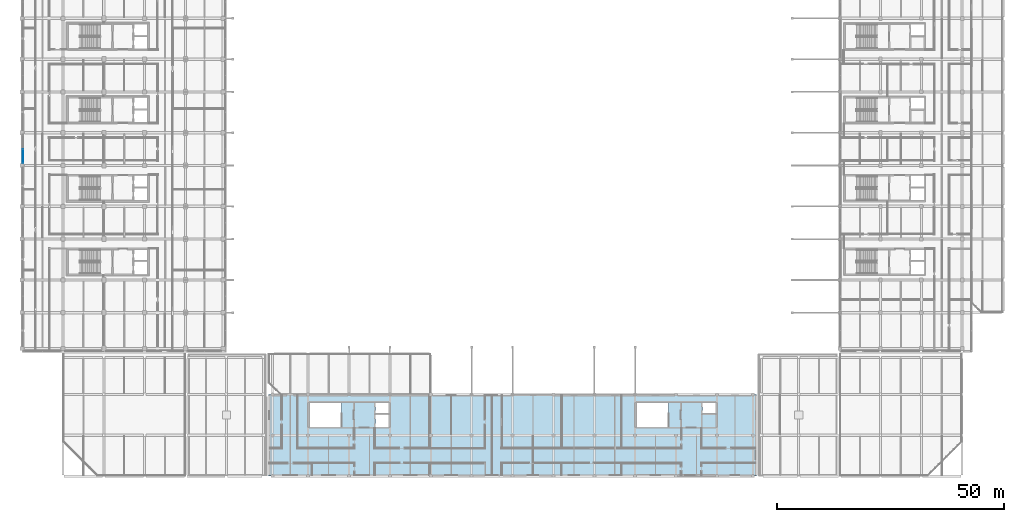
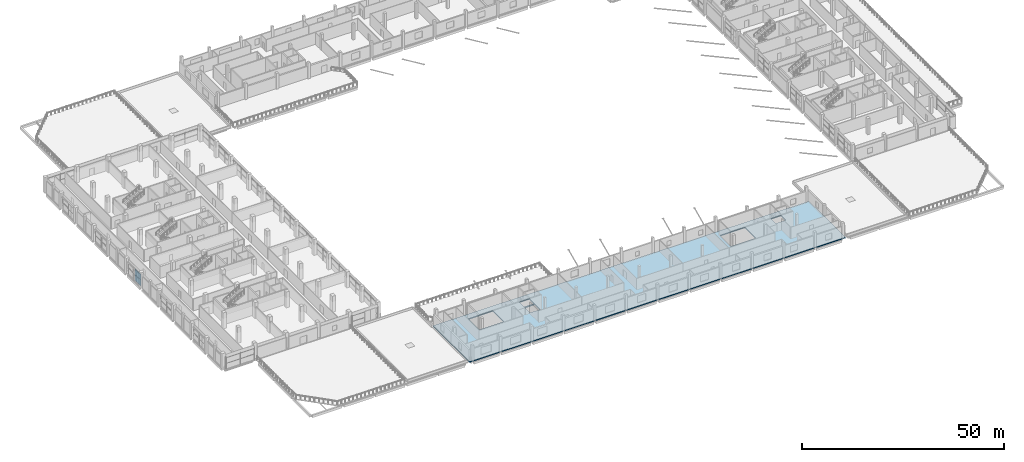
# One storey, part 37 of 82: 2 plates, 1 slab, 1 element without a shape of its own.
"""IFC4 building model written with IfcOpenShell, lengths in metres."""

import ifcopenshell
import ifcopenshell.guid

model = None  # the IFC model being written
_history = None  # IfcOwnerHistory: only IFC2X3 demands one
_inside = {}  # id of a spatial element -> (the spatial element, [elements in it])
_under = {}  # id of a project, library or spatial element -> (it, [spatial elements below it])
_declared = {}  # id of a project -> (the project, [libraries it declares])
_typed = {}  # id of a type object -> (the type object, [elements of that type])
_made_of = {}  # id of a material, layer set ... -> (it, [elements and type objects made of it])


def new_model(schema):
    """Start an empty IFC model of exactly this schema.

    Asked for "IFC4X3", IfcOpenShell would pick the latest addendum, in which some entities
    have other attributes; the version numbers below select the first issue.
    IFC2X3 requires an IfcOwnerHistory on every rooted entity: one is made here for all.
    """
    global model, _history
    if schema == "IFC4X3":
        model = ifcopenshell.file(schema_version=(4, 3, 0, 0))
    else:
        model = ifcopenshell.file(schema=schema)
    _inside.clear()
    _under.clear()
    _declared.clear()
    _typed.clear()
    _made_of.clear()
    _history = None
    if model.schema == "IFC2X3":
        org = make("IfcOrganization", Name="unknown")
        user = make(
            "IfcPersonAndOrganization",
            ThePerson=make("IfcPerson", FamilyName="unknown"),
            TheOrganization=org,
        )
        app = make(
            "IfcApplication",
            ApplicationDeveloper=org,
            Version="unknown",
            ApplicationFullName="unknown",
            ApplicationIdentifier="unknown",
        )
        _history = make(
            "IfcOwnerHistory",
            OwningUser=user,
            OwningApplication=app,
            ChangeAction="ADDED",
            CreationDate=0,
        )
    return model


def make(cls, **values):
    """One entity of the class cls with the attributes given. An attribute that is None is left unset."""
    return model.create_entity(
        cls, **{name: value for name, value in values.items() if value is not None}
    )


def rooted(cls, **values):
    """An entity with a GlobalId (a new one), such as an element, a storey or a relation."""
    return make(cls, GlobalId=ifcopenshell.guid.new(), OwnerHistory=_history, **values)


def si_unit(unit_type, name, prefix=None):
    """IfcSIUnit, for example si_unit("LENGTHUNIT", "METRE", prefix="MILLI")."""
    return make("IfcSIUnit", UnitType=unit_type, Prefix=prefix, Name=name)


def assignment(units):
    """IfcUnitAssignment: the units of a project."""
    return None if units is None else make("IfcUnitAssignment", Units=units)


def point(xyz):
    """IfcCartesianPoint."""
    return None if xyz is None else make("IfcCartesianPoint", Coordinates=xyz)


def direction(xyz):
    """IfcDirection."""
    return None if xyz is None else make("IfcDirection", DirectionRatios=xyz)


def frame(location, z_axis=None, x_axis=None):
    """IfcAxis2Placement3D, a coordinate frame: its origin and axes. An axis left out is left unset."""
    return make(
        "IfcAxis2Placement3D",
        Location=point(location),
        Axis=direction(z_axis),
        RefDirection=direction(x_axis),
    )


def frame_2d(location, x_axis=None):
    """IfcAxis2Placement2D, a coordinate frame in the plane: its origin and x axis."""
    return make(
        "IfcAxis2Placement2D", Location=point(location), RefDirection=direction(x_axis)
    )


def origin():
    """The frame at (0, 0, 0) with its axes left unset."""
    return frame((0.0, 0.0, 0.0))


def origin_2d():
    """The frame at (0, 0) in the plane with its x axis left unset."""
    return frame_2d((0.0, 0.0))


def place(relative_to, where):
    """IfcLocalPlacement: puts the frame where relative to a parent placement (None: the world)."""
    return make(
        "IfcLocalPlacement", PlacementRelTo=relative_to, RelativePlacement=where
    )


def context(
    kind, dimensions, precision=None, world=None, true_north=None, identifier=None
):
    """IfcGeometricRepresentationContext, for example the 3D "Model" context."""
    return make(
        "IfcGeometricRepresentationContext",
        ContextIdentifier=identifier,
        ContextType=kind,
        CoordinateSpaceDimension=dimensions,
        Precision=precision,
        WorldCoordinateSystem=world,
        TrueNorth=true_north,
    )


def subcontext(parent, identifier, kind, view, scale=None):
    """IfcGeometricRepresentationSubContext, for example "Body" below "Model"."""
    return make(
        "IfcGeometricRepresentationSubContext",
        ContextIdentifier=identifier,
        ContextType=kind,
        ParentContext=parent,
        TargetScale=scale,
        TargetView=view,
    )


def project(units=None, contexts=None):
    """IfcProject with its units and contexts."""
    return rooted(
        "IfcProject",
        Name="project",
        RepresentationContexts=contexts,
        UnitsInContext=assignment(units),
    )


def spatial(cls, under=None, at=None, **own):
    """A site, building, storey or space (cls), placed at a placement, below another one or the project."""
    s = rooted(cls, ObjectPlacement=at, **own)
    if under is not None:
        _under.setdefault(under.id(), (under, []))[1].append(s)
    return s


def polyline(points):
    """IfcPolyline through the points."""
    return make("IfcPolyline", Points=[point(p) for p in points])


def profile(cls, at=None, kind="AREA", **sizes):
    """A parametric profile (cls). Its sizes go by their IFC names, for example OverallWidth=200.0."""
    return make(cls, ProfileType=kind, Position=at, **sizes)


def rectangle(**sizes):
    """IfcRectangleProfileDef."""
    return profile("IfcRectangleProfileDef", **sizes)


def outline(outer, holes=None, kind="AREA"):
    """IfcArbitraryClosedProfileDef: a profile drawn as a closed curve; with holes, ...WithVoids."""
    if holes is None:
        return make("IfcArbitraryClosedProfileDef", ProfileType=kind, OuterCurve=outer)
    return make(
        "IfcArbitraryProfileDefWithVoids",
        ProfileType=kind,
        OuterCurve=outer,
        InnerCurves=holes,
    )


def extrude(swept, where, along, depth):
    """IfcExtrudedAreaSolid: the profile swept, set in the frame where, extruded along a direction by depth."""
    return make(
        "IfcExtrudedAreaSolid",
        SweptArea=swept,
        Position=where,
        ExtrudedDirection=direction(along),
        Depth=depth,
    )


def shape(context_of_items, identifier, shape_type, items):
    """IfcShapeRepresentation: the items that make up one representation, for example the "Body"."""
    return make(
        "IfcShapeRepresentation",
        ContextOfItems=context_of_items,
        RepresentationIdentifier=identifier,
        RepresentationType=shape_type,
        Items=items,
    )


def material(Name=None, Category=None):
    """IfcMaterial."""
    return make("IfcMaterial", Name=Name, Category=Category)


def layer(
    of_material, thickness, ventilated=None, Name=None, Category=None, Priority=None
):
    """IfcMaterialLayer: one layer of a wall or slab, of a material (None: an air gap)."""
    return make(
        "IfcMaterialLayer",
        Material=of_material,
        LayerThickness=thickness,
        IsVentilated=ventilated,
        Name=Name,
        Category=Category,
        Priority=Priority,
    )


def layer_set(layers, Name=None):
    """IfcMaterialLayerSet."""
    return make("IfcMaterialLayerSet", MaterialLayers=layers, LayerSetName=Name)


def made_of(thing, what):
    """Note that an element or type object is made of a material, layer set ...; save() writes the relation."""
    if what is not None:
        _made_of.setdefault(what.id(), (what, []))[1].append(thing)
    return thing


def type_object(cls, material=None, **own):
    """A type object (cls), such as IfcWallType, which elements share."""
    return made_of(rooted(cls, **own), material)


def element(
    cls,
    number,
    at=None,
    inside=None,
    cuts=None,
    type_object=None,
    material=None,
    context=None,
    identifier="Body",
    shape_type=None,
    held_by="IfcProductDefinitionShape",
    body=None,
    shapes=None,
    **own,
):
    """One element of the class cls, such as IfcWall. Its Tag is "e" and its number.

    at: its placement. inside: the storey or other place that contains it. cuts: it is an
    opening in that element (IfcRelVoidsElement). A single representation is given by context,
    identifier, shape_type and body (its items); several are given by shapes. held_by: the class
    of the entity that holds the representations. save() writes the other relations.
    """
    e = rooted(cls, Tag="e%d" % number, ObjectPlacement=at, **own)
    if body is not None:
        shapes = [shape(context, identifier, shape_type, body)]
    if shapes is not None:
        e.Representation = make(held_by, Representations=shapes)
    if inside is not None:
        _inside.setdefault(inside.id(), (inside, []))[1].append(e)
    if cuts is not None:
        rooted(
            "IfcRelVoidsElement", RelatingBuildingElement=cuts, RelatedOpeningElement=e
        )
    if type_object is not None:
        _typed.setdefault(type_object.id(), (type_object, []))[1].append(e)
    return made_of(e, material)


def aggregate(whole, parts):
    """IfcRelAggregates: a whole, such as a stair, and the parts it consists of."""
    return rooted("IfcRelAggregates", RelatingObject=whole, RelatedObjects=parts)


def save(model, path):
    """Write the relations noted so far, then the file.

    IfcRelAggregates (storeys below a building ...), IfcRelContainedInSpatialStructure (elements
    in a storey), IfcRelDefinesByType, IfcRelAssociatesMaterial and IfcRelDeclares: one each for
    every whole, place, type object, material and project.
    """
    for whole, parts in _under.values():
        aggregate(whole, parts)
    for where, things in _inside.values():
        rooted(
            "IfcRelContainedInSpatialStructure",
            RelatedElements=things,
            RelatingStructure=where,
        )
    for kind, things in _typed.values():
        rooted("IfcRelDefinesByType", RelatedObjects=things, RelatingType=kind)
    for what, things in _made_of.values():
        rooted("IfcRelAssociatesMaterial", RelatedObjects=things, RelatingMaterial=what)
    for by, libraries in _declared.values():
        rooted("IfcRelDeclares", RelatingContext=by, RelatedDefinitions=libraries)
    model.write(path)


model = new_model("IFC4")

# Units and contexts
model_context = context("Model", 3, precision=1e-05, world=origin(), true_north=direction((0.0, 1.0)))
body_context = subcontext(model_context, "Body", "Model", "MODEL_VIEW")
ifc_project = project(units=[si_unit("LENGTHUNIT", "METRE"), si_unit("AREAUNIT", "SQUARE_METRE"), si_unit("VOLUMEUNIT", "CUBIC_METRE"), si_unit("PLANEANGLEUNIT", "RADIAN"), si_unit("MASSUNIT", "GRAM", prefix="KILO"), si_unit("THERMODYNAMICTEMPERATUREUNIT", "KELVIN"), si_unit("POWERUNIT", "WATT")], contexts=[model_context])

# Site, building, storey
site_placement = place(None, origin())
site = spatial("IfcSite", under=ifc_project, at=site_placement, CompositionType="ELEMENT")
building_placement = place(site_placement, origin())
building = spatial("IfcBuilding", under=site, at=building_placement, Name="Sindhuravela Promenade Stadium", CompositionType="ELEMENT")
storey_placement = place(building_placement, frame((0.0, 0.0, 14.39990234375)))
storey = spatial("IfcBuildingStorey", under=building, at=storey_placement, Name="L03", CompositionType="ELEMENT", Elevation=14.39990234375)

# Curtain wall, plates
ifc_material_1 = material(Name="Anodised architectural aluminium 6063-T6", Category="aluminium")
curtain_wall_type = type_object("IfcCurtainWallType", Name="CW-MOD-7", PredefinedType="NOTDEFINED", material=ifc_material_1)
curtain_wall_placement = place(storey_placement, origin())
curtain_wall = element("IfcCurtainWall", 1, at=curtain_wall_placement, inside=storey, type_object=curtain_wall_type, Name="Bronze curtain wall CW-WEST-L03-030", PredefinedType="NOTDEFINED")
ifc_material_2 = material(Name="Tempered laminated low-E glass", Category="glass")
ifc_layer_1 = layer(ifc_material_2, 0.028076171875)
ifc_layer_set_1 = layer_set([ifc_layer_1], Name="Tempered laminated low-E glass")
plate_type = type_object("IfcPlateType", Name="CW-PNL-01", PredefinedType="CURTAIN_PANEL", material=ifc_layer_set_1)
plate_1_placement = place(storey_placement, frame((0.199951171875, 79.449951171875, 0.01513671875), z_axis=(0.0, 0.0, 1.0), x_axis=(0.0, 1.0, 0.0)))
plate_1 = element("IfcPlate", 2, at=plate_1_placement, type_object=plate_type, Name="Glazed curtain panel CW-WEST-L03-030-P1.1", PredefinedType="CURTAIN_PANEL", context=body_context, shape_type="SweptSolid", body=[
    extrude(rectangle(XDim=3.0400390625, YDim=0.028076171875, at=origin_2d()), origin(), (0.0, 0.0, 1.0), 1.760009765625),
])
plate_2_placement = place(storey_placement, frame((0.199951171875, 79.449951171875, 1.80517578125), z_axis=(0.0, 0.0, 1.0), x_axis=(0.0, 1.0, 0.0)))
plate_2 = element("IfcPlate", 3, at=plate_2_placement, type_object=plate_type, Name="Glazed curtain panel CW-WEST-L03-030-P1.2", PredefinedType="CURTAIN_PANEL", context=body_context, shape_type="SweptSolid", body=[
    extrude(rectangle(XDim=3.0400390625, YDim=0.028076171875, at=origin_2d()), origin(), (0.0, 0.0, 1.0), 1.679931640625),
])
aggregate(curtain_wall, [plate_1, plate_2])

# Slab
ifc_material_3 = material(Name="Concrete M40", Category="concrete")
ifc_layer_2 = layer(ifc_material_3, 0.300048828125)
ifc_layer_set_2 = layer_set([ifc_layer_2], Name="Concrete M40")
slab_type = type_object("IfcSlabType", Name="SL-FLR-300", PredefinedType="FLOOR", material=ifc_layer_set_2)
slab_placement = place(storey_placement, frame((0.0, 0.0, -0.2998046875)))
element("IfcSlab", 4, at=slab_placement, inside=storey, type_object=slab_type, Name="Floor slab SOUTH L03", PredefinedType="FLOOR", context=body_context, shape_type="SweptSolid", body=[
    extrude(outline(polyline([(54.25, 9.0), (161.75, 9.0), (161.75, 27.0), (54.25, 27.0), (54.25, 9.0)]), holes=[polyline([(63.300048828125, 19.800048828125), (70.34912109375, 19.800048828125), (70.34912109375, 25.199951171875), (63.300048828125, 25.199951171875), (63.300048828125, 19.800048828125)]), polyline([(77.800048828125, 22.800048828125), (80.699951171875, 22.800048828125), (80.699951171875, 25.199951171875), (77.800048828125, 25.199951171875), (77.800048828125, 22.800048828125)]), polyline([(77.800048828125, 19.800048828125), (80.699951171875, 19.800048828125), (80.699951171875, 22.5), (77.800048828125, 22.5), (77.800048828125, 19.800048828125)]), polyline([(135.300048828125, 19.800048828125), (142.34912109375, 19.800048828125), (142.34912109375, 25.199951171875), (135.300048828125, 25.199951171875), (135.300048828125, 19.800048828125)]), polyline([(149.800048828125, 22.800048828125), (152.699951171875, 22.800048828125), (152.699951171875, 25.199951171875), (149.800048828125, 25.199951171875), (149.800048828125, 22.800048828125)])]), origin(), (0.0, 0.0, 1.0), 0.2998046875),
])

save(model, "model.ifc")
